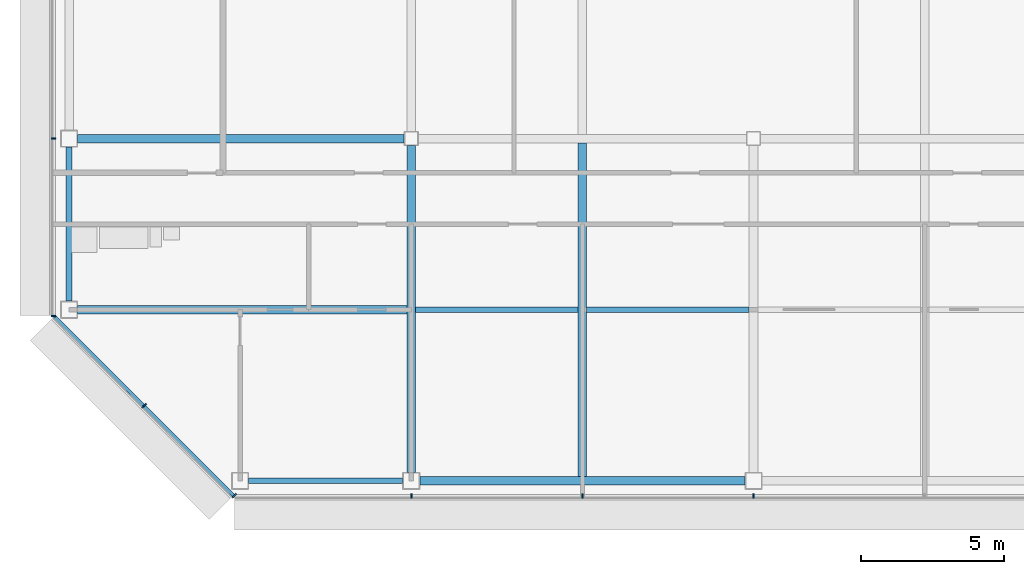
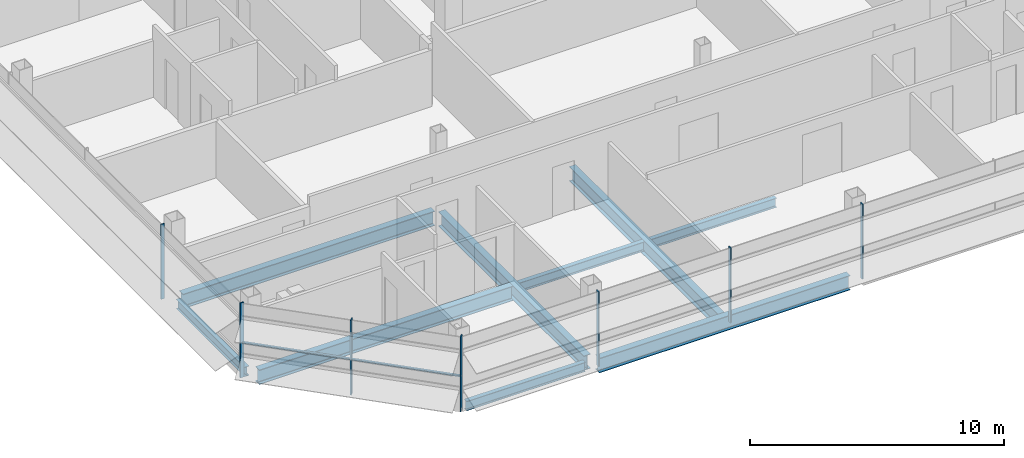
# One storey, part 3 of 28: 9 beams, 8 members, 3 elements without a shape of their own.
"""IFC4 building model written with IfcOpenShell, lengths in metres."""

import ifcopenshell
import ifcopenshell.guid

model = None  # the IFC model being written
_history = None  # IfcOwnerHistory: only IFC2X3 demands one
_inside = {}  # id of a spatial element -> (the spatial element, [elements in it])
_under = {}  # id of a project, library or spatial element -> (it, [spatial elements below it])
_declared = {}  # id of a project -> (the project, [libraries it declares])
_typed = {}  # id of a type object -> (the type object, [elements of that type])
_made_of = {}  # id of a material, layer set ... -> (it, [elements and type objects made of it])


def new_model(schema):
    """Start an empty IFC model of exactly this schema.

    Asked for "IFC4X3", IfcOpenShell would pick the latest addendum, in which some entities
    have other attributes; the version numbers below select the first issue.
    IFC2X3 requires an IfcOwnerHistory on every rooted entity: one is made here for all.
    """
    global model, _history
    if schema == "IFC4X3":
        model = ifcopenshell.file(schema_version=(4, 3, 0, 0))
    else:
        model = ifcopenshell.file(schema=schema)
    _inside.clear()
    _under.clear()
    _declared.clear()
    _typed.clear()
    _made_of.clear()
    _history = None
    if model.schema == "IFC2X3":
        org = make("IfcOrganization", Name="unknown")
        user = make(
            "IfcPersonAndOrganization",
            ThePerson=make("IfcPerson", FamilyName="unknown"),
            TheOrganization=org,
        )
        app = make(
            "IfcApplication",
            ApplicationDeveloper=org,
            Version="unknown",
            ApplicationFullName="unknown",
            ApplicationIdentifier="unknown",
        )
        _history = make(
            "IfcOwnerHistory",
            OwningUser=user,
            OwningApplication=app,
            ChangeAction="ADDED",
            CreationDate=0,
        )
    return model


def make(cls, **values):
    """One entity of the class cls with the attributes given. An attribute that is None is left unset."""
    return model.create_entity(
        cls, **{name: value for name, value in values.items() if value is not None}
    )


def rooted(cls, **values):
    """An entity with a GlobalId (a new one), such as an element, a storey or a relation."""
    return make(cls, GlobalId=ifcopenshell.guid.new(), OwnerHistory=_history, **values)


def si_unit(unit_type, name, prefix=None):
    """IfcSIUnit, for example si_unit("LENGTHUNIT", "METRE", prefix="MILLI")."""
    return make("IfcSIUnit", UnitType=unit_type, Prefix=prefix, Name=name)


def assignment(units):
    """IfcUnitAssignment: the units of a project."""
    return None if units is None else make("IfcUnitAssignment", Units=units)


def point(xyz):
    """IfcCartesianPoint."""
    return None if xyz is None else make("IfcCartesianPoint", Coordinates=xyz)


def direction(xyz):
    """IfcDirection."""
    return None if xyz is None else make("IfcDirection", DirectionRatios=xyz)


def frame(location, z_axis=None, x_axis=None):
    """IfcAxis2Placement3D, a coordinate frame: its origin and axes. An axis left out is left unset."""
    return make(
        "IfcAxis2Placement3D",
        Location=point(location),
        Axis=direction(z_axis),
        RefDirection=direction(x_axis),
    )


def frame_2d(location, x_axis=None):
    """IfcAxis2Placement2D, a coordinate frame in the plane: its origin and x axis."""
    return make(
        "IfcAxis2Placement2D", Location=point(location), RefDirection=direction(x_axis)
    )


def origin():
    """The frame at (0, 0, 0) with its axes left unset."""
    return frame((0.0, 0.0, 0.0))


def origin_2d():
    """The frame at (0, 0) in the plane with its x axis left unset."""
    return frame_2d((0.0, 0.0))


def place(relative_to, where):
    """IfcLocalPlacement: puts the frame where relative to a parent placement (None: the world)."""
    return make(
        "IfcLocalPlacement", PlacementRelTo=relative_to, RelativePlacement=where
    )


def context(
    kind, dimensions, precision=None, world=None, true_north=None, identifier=None
):
    """IfcGeometricRepresentationContext, for example the 3D "Model" context."""
    return make(
        "IfcGeometricRepresentationContext",
        ContextIdentifier=identifier,
        ContextType=kind,
        CoordinateSpaceDimension=dimensions,
        Precision=precision,
        WorldCoordinateSystem=world,
        TrueNorth=true_north,
    )


def subcontext(parent, identifier, kind, view, scale=None):
    """IfcGeometricRepresentationSubContext, for example "Body" below "Model"."""
    return make(
        "IfcGeometricRepresentationSubContext",
        ContextIdentifier=identifier,
        ContextType=kind,
        ParentContext=parent,
        TargetScale=scale,
        TargetView=view,
    )


def project(units=None, contexts=None):
    """IfcProject with its units and contexts."""
    return rooted(
        "IfcProject",
        Name="project",
        RepresentationContexts=contexts,
        UnitsInContext=assignment(units),
    )


def spatial(cls, under=None, at=None, **own):
    """A site, building, storey or space (cls), placed at a placement, below another one or the project."""
    s = rooted(cls, ObjectPlacement=at, **own)
    if under is not None:
        _under.setdefault(under.id(), (under, []))[1].append(s)
    return s


def profile(cls, at=None, kind="AREA", **sizes):
    """A parametric profile (cls). Its sizes go by their IFC names, for example OverallWidth=200.0."""
    return make(cls, ProfileType=kind, Position=at, **sizes)


def rectangle(**sizes):
    """IfcRectangleProfileDef."""
    return profile("IfcRectangleProfileDef", **sizes)


def i_section(**sizes):
    """IfcIShapeProfileDef."""
    return profile("IfcIShapeProfileDef", **sizes)


def extrude(swept, where, along, depth):
    """IfcExtrudedAreaSolid: the profile swept, set in the frame where, extruded along a direction by depth."""
    return make(
        "IfcExtrudedAreaSolid",
        SweptArea=swept,
        Position=where,
        ExtrudedDirection=direction(along),
        Depth=depth,
    )


def shape(context_of_items, identifier, shape_type, items):
    """IfcShapeRepresentation: the items that make up one representation, for example the "Body"."""
    return make(
        "IfcShapeRepresentation",
        ContextOfItems=context_of_items,
        RepresentationIdentifier=identifier,
        RepresentationType=shape_type,
        Items=items,
    )


def material(Name=None, Category=None):
    """IfcMaterial."""
    return make("IfcMaterial", Name=Name, Category=Category)


def material_profile(
    of_material, cross_section, Name=None, Category=None, Priority=None
):
    """IfcMaterialProfile: a cross section and its material."""
    return make(
        "IfcMaterialProfile",
        Name=Name,
        Material=of_material,
        Profile=cross_section,
        Priority=Priority,
        Category=Category,
    )


def profile_set(profiles, Name=None, composite=None):
    """IfcMaterialProfileSet."""
    return make(
        "IfcMaterialProfileSet",
        Name=Name,
        MaterialProfiles=profiles,
        CompositeProfile=composite,
    )


def made_of(thing, what):
    """Note that an element or type object is made of a material, layer set ...; save() writes the relation."""
    if what is not None:
        _made_of.setdefault(what.id(), (what, []))[1].append(thing)
    return thing


def type_object(cls, material=None, **own):
    """A type object (cls), such as IfcWallType, which elements share."""
    return made_of(rooted(cls, **own), material)


def element(
    cls,
    number,
    at=None,
    inside=None,
    cuts=None,
    type_object=None,
    material=None,
    context=None,
    identifier="Body",
    shape_type=None,
    held_by="IfcProductDefinitionShape",
    body=None,
    shapes=None,
    **own,
):
    """One element of the class cls, such as IfcWall. Its Tag is "e" and its number.

    at: its placement. inside: the storey or other place that contains it. cuts: it is an
    opening in that element (IfcRelVoidsElement). A single representation is given by context,
    identifier, shape_type and body (its items); several are given by shapes. held_by: the class
    of the entity that holds the representations. save() writes the other relations.
    """
    e = rooted(cls, Tag="e%d" % number, ObjectPlacement=at, **own)
    if body is not None:
        shapes = [shape(context, identifier, shape_type, body)]
    if shapes is not None:
        e.Representation = make(held_by, Representations=shapes)
    if inside is not None:
        _inside.setdefault(inside.id(), (inside, []))[1].append(e)
    if cuts is not None:
        rooted(
            "IfcRelVoidsElement", RelatingBuildingElement=cuts, RelatedOpeningElement=e
        )
    if type_object is not None:
        _typed.setdefault(type_object.id(), (type_object, []))[1].append(e)
    return made_of(e, material)


def aggregate(whole, parts):
    """IfcRelAggregates: a whole, such as a stair, and the parts it consists of."""
    return rooted("IfcRelAggregates", RelatingObject=whole, RelatedObjects=parts)


def save(model, path):
    """Write the relations noted so far, then the file.

    IfcRelAggregates (storeys below a building ...), IfcRelContainedInSpatialStructure (elements
    in a storey), IfcRelDefinesByType, IfcRelAssociatesMaterial and IfcRelDeclares: one each for
    every whole, place, type object, material and project.
    """
    for whole, parts in _under.values():
        aggregate(whole, parts)
    for where, things in _inside.values():
        rooted(
            "IfcRelContainedInSpatialStructure",
            RelatedElements=things,
            RelatingStructure=where,
        )
    for kind, things in _typed.values():
        rooted("IfcRelDefinesByType", RelatedObjects=things, RelatingType=kind)
    for what, things in _made_of.values():
        rooted("IfcRelAssociatesMaterial", RelatedObjects=things, RelatingMaterial=what)
    for by, libraries in _declared.values():
        rooted("IfcRelDeclares", RelatingContext=by, RelatedDefinitions=libraries)
    model.write(path)


model = new_model("IFC4")

# Units and contexts
model_context = context("Model", 3, precision=1e-05, world=origin(), true_north=direction((0.0, 1.0)))
body_context = subcontext(model_context, "Body", "Model", "MODEL_VIEW")
ifc_project = project(units=[si_unit("LENGTHUNIT", "METRE"), si_unit("AREAUNIT", "SQUARE_METRE"), si_unit("VOLUMEUNIT", "CUBIC_METRE"), si_unit("PLANEANGLEUNIT", "RADIAN"), si_unit("MASSUNIT", "GRAM", prefix="KILO")], contexts=[model_context])

# Site, building, storey
site_placement = place(None, origin())
site = spatial("IfcSite", under=ifc_project, at=site_placement, CompositionType="ELEMENT")
building_placement = place(site_placement, origin())
building = spatial("IfcBuilding", under=site, at=building_placement, Name="Sorahane Residences", CompositionType="ELEMENT")
storey_placement = place(building_placement, frame((0.0, 0.0, 273.800048828125)))
storey = spatial("IfcBuildingStorey", under=building, at=storey_placement, Name="L65", CompositionType="ELEMENT", Elevation=273.800048828125)

# Curtain wall, members
ifc_material_1 = material(Name="Dark low-e glass and black anodised aluminium", Category="aluminium")
curtain_wall_type_1 = type_object("IfcCurtainWallType", Name="Curtain wall CW-1 Typical unitised wall", PredefinedType="NOTDEFINED", material=ifc_material_1)
curtain_wall_1_placement = place(storey_placement, origin())
curtain_wall_1 = element("IfcCurtainWall", 1, at=curtain_wall_1_placement, inside=storey, type_object=curtain_wall_type_1, Name="CW-1 curtain wall L65 S1", PredefinedType="NOTDEFINED")
ifc_material_2 = material(Name="Black anodised aluminium", Category="aluminium")
ifc_material_profile_1 = material_profile(ifc_material_2, rectangle(XDim=0.159912109375, YDim=0.050048828125, at=origin_2d()), Name="Curtain wall mullion CW-1 black anodised aluminium 50x160")
ifc_profile_set_1 = profile_set([ifc_material_profile_1], Name="Black anodised aluminium")
member_type_1 = type_object("IfcMemberType", Name="Curtain wall mullion CW-1 black anodised aluminium 50x160", PredefinedType="MULLION", material=ifc_profile_set_1)
member_1_placement = place(storey_placement, frame((0.0, -0.5400390625, -0.179931640625), z_axis=(0.0, 0.0, 1.0), x_axis=(0.0, -1.0, 0.0)))
member_1 = element("IfcMember", 2, at=member_1_placement, type_object=member_type_1, Name="CW-1 mullion L65 S1.2", PredefinedType="MULLION", context=body_context, shape_type="SweptSolid", body=[
    extrude(rectangle(XDim=0.159912109375, YDim=0.050048828125, at=origin_2d()), origin(), (0.0, 0.0, 1.0), 3.599853515625),
])
member_2_placement = place(storey_placement, frame((6.0, -0.5400390625, -0.179931640625), z_axis=(0.0, 0.0, 1.0), x_axis=(0.0, -1.0, 0.0)))
member_2 = element("IfcMember", 3, at=member_2_placement, type_object=member_type_1, Name="CW-1 mullion L65 S1.3", PredefinedType="MULLION", context=body_context, shape_type="SweptSolid", body=[
    extrude(rectangle(XDim=0.159912109375, YDim=0.050048828125, at=origin_2d()), origin(), (0.0, 0.0, 1.0), 3.599853515625),
])
member_3_placement = place(storey_placement, frame((12.0, -0.5400390625, -0.179931640625), z_axis=(0.0, 0.0, 1.0), x_axis=(0.0, -1.0, 0.0)))
member_3 = element("IfcMember", 4, at=member_3_placement, type_object=member_type_1, Name="CW-1 mullion L65 S1.4", PredefinedType="MULLION", context=body_context, shape_type="SweptSolid", body=[
    extrude(rectangle(XDim=0.159912109375, YDim=0.050048828125, at=origin_2d()), origin(), (0.0, 0.0, 1.0), 3.599853515625),
])
aggregate(curtain_wall_1, [member_1, member_2, member_3])

curtain_wall_2_placement = place(storey_placement, origin())
curtain_wall_2 = element("IfcCurtainWall", 5, at=curtain_wall_2_placement, inside=storey, type_object=curtain_wall_type_1, Name="CW-1 curtain wall L65 W1", PredefinedType="NOTDEFINED")
member_4_placement = place(storey_placement, frame((-12.5400390625, 12.0, -0.179931640625), z_axis=(0.0, 0.0, 1.0), x_axis=(-1.0, 0.0, 0.0)))
member_4 = element("IfcMember", 6, at=member_4_placement, type_object=member_type_1, Name="CW-1 mullion L65 W1.6", PredefinedType="MULLION", context=body_context, shape_type="SweptSolid", body=[
    extrude(rectangle(XDim=0.159912109375, YDim=0.050048828125, at=origin_2d()), origin(), (0.0, 0.0, 1.0), 3.599853515625),
])
member_5_placement = place(storey_placement, frame((-12.5400390625, 5.7763671875, -0.179931640625), z_axis=(0.0, 0.0, 1.0), x_axis=(-1.0, 0.0, 0.0)))
member_5 = element("IfcMember", 7, at=member_5_placement, type_object=member_type_1, Name="CW-1 mullion L65 W1.7", PredefinedType="MULLION", context=body_context, shape_type="SweptSolid", body=[
    extrude(rectangle(XDim=0.159912109375, YDim=0.050048828125, at=origin_2d()), origin(), (0.0, 0.0, 1.0), 3.599853515625),
])
aggregate(curtain_wall_2, [member_4, member_5])

ifc_material_3 = material(Name="Dark low-e glass and black anodised aluminium", Category="aluminium")
curtain_wall_type_2 = type_object("IfcCurtainWallType", Name="Curtain wall CW-2 Chamfer unitised wall", PredefinedType="NOTDEFINED", material=ifc_material_3)
curtain_wall_3_placement = place(storey_placement, origin())
curtain_wall_3 = element("IfcCurtainWall", 8, at=curtain_wall_3_placement, inside=storey, type_object=curtain_wall_type_2, Name="CW-2 curtain wall L65 SW1", PredefinedType="NOTDEFINED")
ifc_material_4 = material(Name="Black anodised aluminium", Category="aluminium")
ifc_material_profile_2 = material_profile(ifc_material_4, rectangle(XDim=0.199951171875, YDim=0.050048828125, at=origin_2d()), Name="Curtain wall mullion CW-2 black anodised aluminium 50x200")
ifc_profile_set_2 = profile_set([ifc_material_profile_2], Name="Black anodised aluminium")
member_type_2 = type_object("IfcMemberType", Name="Curtain wall mullion CW-2 black anodised aluminium 50x200", PredefinedType="MULLION", material=ifc_profile_set_2)
member_6_placement = place(storey_placement, frame((-9.36767578125, 2.63232421875, -0.179931640625), z_axis=(0.0, 0.0, 1.0), x_axis=(-0.707106781187, -0.707106781187, 0.0)))
member_6 = element("IfcMember", 9, at=member_6_placement, type_object=member_type_2, Name="CW-2 mullion L65 SW1.2", PredefinedType="MULLION", context=body_context, shape_type="SweptSolid", body=[
    extrude(rectangle(XDim=0.199951171875, YDim=0.050048828125, at=origin_2d()), origin(), (0.0, 0.0, 1.0), 3.599853515625),
])
member_7_placement = place(storey_placement, frame((-6.209716796875, -0.525634765625, -0.179931640625), z_axis=(0.0, 0.0, 1.0), x_axis=(-0.707106781187, -0.707106781187, 0.0)))
member_7 = element("IfcMember", 10, at=member_7_placement, type_object=member_type_2, Name="CW-2 mullion L65 SW1.3", PredefinedType="MULLION", context=body_context, shape_type="SweptSolid", body=[
    extrude(rectangle(XDim=0.199951171875, YDim=0.050048828125, at=origin_2d()), origin(), (0.0, 0.0, 1.0), 3.599853515625),
])
ifc_material_5 = material(Name="Black anodised aluminium", Category="aluminium")
ifc_material_profile_3 = material_profile(ifc_material_5, rectangle(XDim=0.10009765625, YDim=0.06005859375, at=origin_2d()), Name="Curtain wall transom CW-2 black anodised aluminium 60x100")
ifc_profile_set_3 = profile_set([ifc_material_profile_3], Name="Black anodised aluminium")
member_type_3 = type_object("IfcMemberType", Name="Curtain wall transom CW-2 black anodised aluminium 60x100", PredefinedType="USERDEFINED", material=ifc_profile_set_3)
member_8_placement = place(storey_placement, frame((-12.51513671875, 5.765625, 1.5), z_axis=(0.707106781187, -0.707106781187, 0.0), x_axis=(0.707106781187, 0.707106781187, 0.0)))
member_8 = element("IfcMember", 11, at=member_8_placement, type_object=member_type_3, Name="CW-2 transom L65 SW1", ObjectType="TRANSOM", PredefinedType="USERDEFINED", context=body_context, shape_type="SweptSolid", body=[
    extrude(rectangle(XDim=0.10009765625, YDim=0.06005859375, at=origin_2d()), origin(), (0.0, 0.0, 1.0), 8.88232421875),
])
aggregate(curtain_wall_3, [member_6, member_7, member_8])

# Beams
ifc_material_6 = material(Name="Steel Q355B", Category="steel")
ifc_material_profile_4 = material_profile(ifc_material_6, i_section(OverallWidth=0.199951171875, OverallDepth=0.449951171875, WebThickness=0.009033203125, FlangeThickness=0.013916015625, FilletRadius=0.02001953125, at=origin_2d()), Name="HN 450x200x9x14")
ifc_profile_set_4 = profile_set([ifc_material_profile_4], Name="Steel Q355B")
beam_type_1 = type_object("IfcBeamType", Name="Steel floor beam HN 450x200x9x14 Q355B", PredefinedType="BEAM", material=ifc_profile_set_4)
for number, where, z_axis, x_axis, name in (
    (12, (-5.699951171875, 0.0, -0.405029296875), (1.0, 0.0, 0.0), (0.0, 1.0, 0.0), "Beam L65 000"),
    (13, (-12.0, 6.300048828125, -0.405029296875), (0.0, 1.0, 0.0), (-1.0, 0.0, 0.0), "Beam L65 020"),
):
    element("IfcBeam", number, at=place(storey_placement, frame(where, z_axis=z_axis, x_axis=x_axis)), inside=storey, type_object=beam_type_1, Name=name, PredefinedType="BEAM", context=body_context, shape_type="SweptSolid", body=[
        extrude(i_section(OverallWidth=0.199951171875, OverallDepth=0.449951171875, WebThickness=0.009033203125, FlangeThickness=0.013916015625, FilletRadius=0.02001953125, at=origin_2d()), origin(), (0.0, 0.0, 1.0), 5.39990234375),
    ])
for number, where, z_axis, x_axis, name in (
    (14, (0.14990234375, 6.0, -0.405029296875), (1.0, 0.0, 0.0), (0.0, 1.0, 0.0), "Beam L65 069"),
    (15, (6.14990234375, 6.0, -0.405029296875), (1.0, 0.0, 0.0), (0.0, 1.0, 0.0), "Beam L65 070"),
):
    element("IfcBeam", number, at=place(storey_placement, frame(where, z_axis=z_axis, x_axis=x_axis)), inside=storey, type_object=beam_type_1, Name=name, PredefinedType="BEAM", context=body_context, shape_type="SweptSolid", body=[
        extrude(i_section(OverallWidth=0.199951171875, OverallDepth=0.449951171875, WebThickness=0.009033203125, FlangeThickness=0.013916015625, FilletRadius=0.02001953125, at=origin_2d()), origin(), (0.0, 0.0, 1.0), 5.7001953125),
    ])
ifc_material_7 = material(Name="Steel Q355B", Category="steel")
ifc_material_profile_5 = material_profile(ifc_material_7, i_section(OverallWidth=0.300048828125, OverallDepth=0.699951171875, WebThickness=0.012939453125, FlangeThickness=0.02392578125, FilletRadius=0.028076171875, at=origin_2d()), Name="HN 700x300x13x24")
ifc_profile_set_5 = profile_set([ifc_material_profile_5], Name="Steel Q355B")
beam_type_2 = type_object("IfcBeamType", Name="Steel floor beam HN 700x300x13x24 Q355B", PredefinedType="BEAM", material=ifc_profile_set_5)
beam_1_placement = place(storey_placement, frame((0.300048828125, 0.0, -0.530029296875), z_axis=(1.0, 0.0, 0.0), x_axis=(0.0, 1.0, 0.0)))
element("IfcBeam", 16, at=beam_1_placement, inside=storey, type_object=beam_type_2, Name="Beam L65 001", PredefinedType="BEAM", context=body_context, shape_type="SweptSolid", body=[
    extrude(i_section(OverallWidth=0.300048828125, OverallDepth=0.699951171875, WebThickness=0.012939453125, FlangeThickness=0.02392578125, FilletRadius=0.028076171875, at=origin_2d()), origin(), (0.0, 0.0, 1.0), 11.39990234375),
])
for number, where, z_axis, x_axis, name in (
    (17, (-11.699951171875, 12.0, -0.530029296875), (1.0, 0.0, 0.0), (0.0, 1.0, 0.0), "Beam L65 005"),
    (18, (0.0, 0.300048828125, -0.530029296875), (0.0, 1.0, 0.0), (-1.0, 0.0, 0.0), "Beam L65 024"),
):
    element("IfcBeam", number, at=place(storey_placement, frame(where, z_axis=z_axis, x_axis=x_axis)), inside=storey, type_object=beam_type_2, Name=name, PredefinedType="BEAM", context=body_context, shape_type="SweptSolid", body=[
        extrude(i_section(OverallWidth=0.300048828125, OverallDepth=0.699951171875, WebThickness=0.012939453125, FlangeThickness=0.02392578125, FilletRadius=0.028076171875, at=origin_2d()), origin(), (0.0, 0.0, 1.0), 11.449951171875),
    ])
beam_2_placement = place(storey_placement, frame((6.0, 0.14990234375, -0.530029296875), z_axis=(0.0, 1.0, 0.0), x_axis=(-1.0, 0.0, 0.0)))
element("IfcBeam", 19, at=beam_2_placement, inside=storey, type_object=beam_type_2, Name="Beam L65 028", PredefinedType="BEAM", context=body_context, shape_type="SweptSolid", body=[
    extrude(i_section(OverallWidth=0.300048828125, OverallDepth=0.699951171875, WebThickness=0.012939453125, FlangeThickness=0.02392578125, FilletRadius=0.028076171875, at=origin_2d()), origin(), (0.0, 0.0, 1.0), 11.7001953125),
])
beam_3_placement = place(storey_placement, frame((-11.699951171875, 6.0, -0.530029296875), z_axis=(1.0, 0.0, 0.0), x_axis=(0.0, 1.0, 0.0)))
element("IfcBeam", 20, at=beam_3_placement, inside=storey, type_object=beam_type_2, Name="Beam L65 068", PredefinedType="BEAM", context=body_context, shape_type="SweptSolid", body=[
    extrude(i_section(OverallWidth=0.300048828125, OverallDepth=0.699951171875, WebThickness=0.012939453125, FlangeThickness=0.02392578125, FilletRadius=0.028076171875, at=origin_2d()), origin(), (0.0, 0.0, 1.0), 11.550048828125),
])

save(model, "model.ifc")
